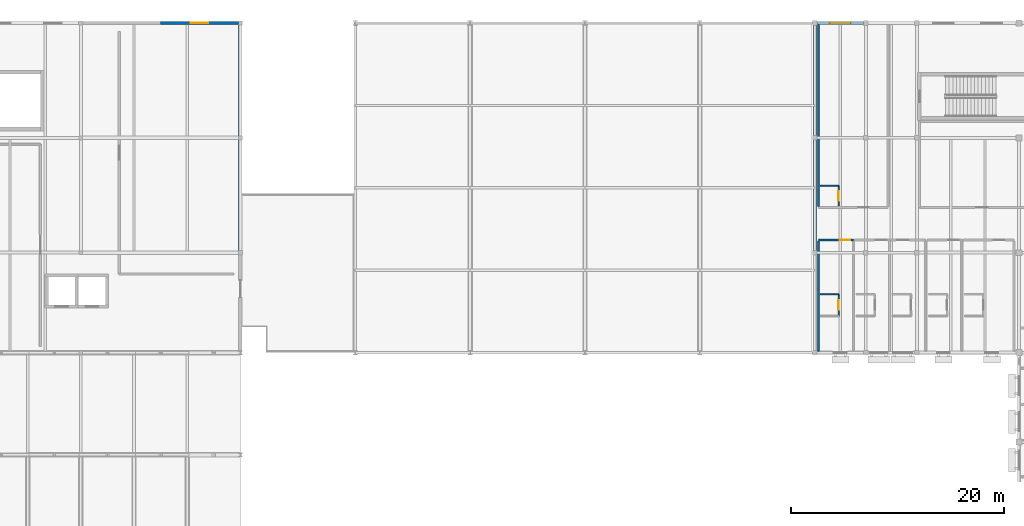
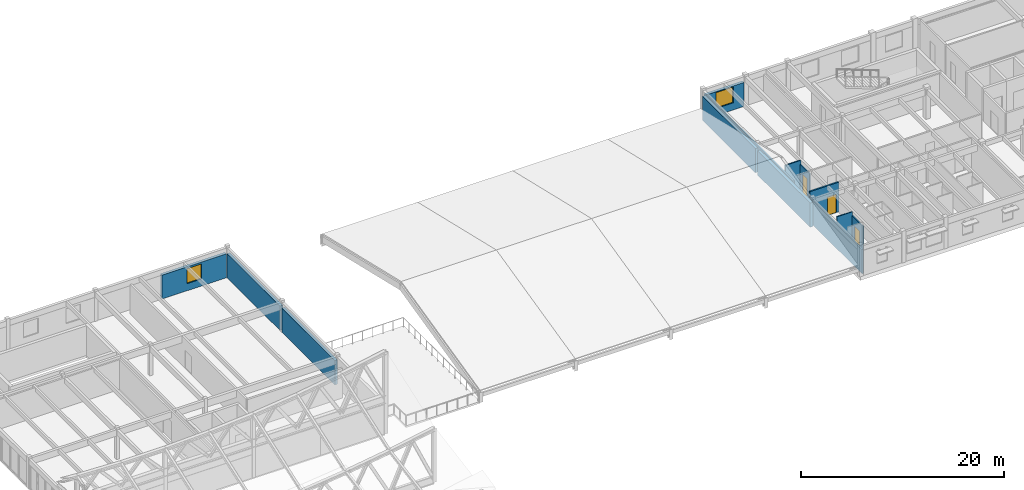
# One storey, part 24 of 40: 13 walls, 3 doors, 2 windows, 5 openings.
"""IFC4 building model written with IfcOpenShell, lengths in metres."""

from ifc_helpers import new_model, si_unit, direction, frame, frame_2d, origin, place, context, subcontext, project, spatial, rectangle, extrude, material, layer, layer_set, type_object, element, fill, save


model = new_model("IFC4")

# Units and contexts
model_context = context("Model", 3, precision=1e-05, world=origin(), true_north=direction((0.0, 1.0)))
body_context = subcontext(model_context, "Body", "Model", "MODEL_VIEW")
ifc_project = project(units=[si_unit("LENGTHUNIT", "METRE"), si_unit("AREAUNIT", "SQUARE_METRE"), si_unit("VOLUMEUNIT", "CUBIC_METRE"), si_unit("PLANEANGLEUNIT", "RADIAN"), si_unit("MASSUNIT", "GRAM", prefix="KILO")], contexts=[model_context])

# Site, building, storey
site_placement = place(None, origin())
site = spatial("IfcSite", under=ifc_project, at=site_placement, CompositionType="ELEMENT")
building_placement = place(site_placement, origin())
building = spatial("IfcBuilding", under=site, at=building_placement, Name="Veldera Park Congress Hotel", CompositionType="ELEMENT")
storey_placement = place(building_placement, frame((0.0, 0.0, 16.199951171875)))
storey = spatial("IfcBuildingStorey", under=building, at=storey_placement, Name="L03", CompositionType="ELEMENT", Elevation=16.199951171875)

# Walls
ifc_material_1 = material(Name="Cross-laminated timber CLT V2M1.1", Category="wood")
ifc_layer_1 = layer(ifc_material_1, 0.320068359375)
ifc_layer_set_1 = layer_set([ifc_layer_1], Name="Cross-laminated timber CLT V2M1.1")
wall_type_1 = type_object("IfcWallType", Name="EW-CLT320", PredefinedType="STANDARD", material=ifc_layer_set_1)
wall_1_placement = place(storey_placement, frame((-12.39990234375, 36.593017578125, 0.0), z_axis=(0.0, 0.0, 1.0), x_axis=(0.0, 1.0, 0.0)))
element("IfcWall", 1, at=wall_1_placement, inside=storey, type_object=wall_type_1, Name="L03 Exterior Wall EW3-L03-0106", PredefinedType="STANDARD", context=body_context, shape_type="SweptSolid", body=[
    extrude(rectangle(XDim=10.4140625, YDim=0.320068359375, at=frame_2d((5.20703125, 0.0))), origin(), (0.0, 0.0, 1.0), 2.9150390625),
])
wall_2_placement = place(storey_placement, frame((-12.39990234375, 47.39306640625, 0.0), z_axis=(0.0, 0.0, 1.0), x_axis=(0.0, 1.0, 0.0)))
element("IfcWall", 2, at=wall_2_placement, inside=storey, type_object=wall_type_1, Name="L03 Exterior Wall EW3-L03-0107", PredefinedType="STANDARD", context=body_context, shape_type="SweptSolid", body=[
    extrude(rectangle(XDim=10.413818359375, YDim=0.320068359375, at=frame_2d((5.20703125, 0.0))), origin(), (0.0, 0.0, 1.0), 2.9150390625),
])

# Wall, opening, window
wall_3_placement = place(storey_placement, frame((-12.593017578125, 58.0, 0.0), z_axis=(0.0, 0.0, 1.0), x_axis=(-1.0, 0.0, 0.0)))
wall_3 = element("IfcWall", 3, at=wall_3_placement, inside=storey, type_object=wall_type_1, Name="L03 Exterior Wall EW3-L03-0108", PredefinedType="STANDARD", context=body_context, shape_type="SweptSolid", body=[
    extrude(rectangle(XDim=7.30908203125, YDim=0.320068359375, at=frame_2d((3.654541015625, 0.0))), origin(), (0.0, 0.0, 1.0), 2.875),
])
opening_1_placement = place(wall_3_placement, frame((2.82958984375, 0.0, 0.85009765625)))
opening_1 = element("IfcOpeningElement", 4, at=opening_1_placement, cuts=wall_3, Name="Opening WIN-1650", PredefinedType="OPENING", context=body_context, shape_type="SweptSolid", body=[
    extrude(rectangle(XDim=1.64990234375, YDim=1.800048828125, at=frame_2d((0.824951171875, 0.89990234375))), frame((0.0, 0.172119140625, 0.0), z_axis=(0.0, -1.0, 0.0), x_axis=(1.0, 0.0, 0.0)), (0.0, 0.0, 1.0), 0.343994140625),
])
ifc_material_2 = material(Name="Low-E Triple Insulating Glass Unit (SHGC 0.22)", Category="glass")
window_type_1 = type_object("IfcWindowType", Name="WIN-1650", PartitioningType="SINGLE_PANEL", PredefinedType="WINDOW", material=ifc_material_2)
window_1_placement = place(opening_1_placement, origin())
window_1 = element("IfcWindow", 5, at=window_1_placement, inside=storey, type_object=window_type_1, Name="L03 Window WIN-1650 120", OverallHeight=1.800048828125, OverallWidth=1.64990234375, PartitioningType="SINGLE_PANEL", PredefinedType="WINDOW", context=body_context, shape_type="SweptSolid", body=[
    extrude(rectangle(XDim=1.64990234375, YDim=1.800048828125, at=frame_2d((0.824951171875, 0.89990234375))), frame((0.0, 0.030029296875, 0.0), z_axis=(0.0, -1.0, 0.0), x_axis=(1.0, 0.0, 0.0)), (0.0, 0.0, 1.0), 0.06005859375),
])
fill(opening_1, window_1)

wall_4_placement = place(storey_placement, frame((46.177001953125, 58.0, 0.0), z_axis=(0.0, 0.0, 1.0), x_axis=(-1.0, 0.0, 0.0)))
wall_4 = element("IfcWall", 6, at=wall_4_placement, inside=storey, type_object=wall_type_1, Name="L03 Exterior Wall EW3-L03-0226", PredefinedType="STANDARD", context=body_context, shape_type="SweptSolid", body=[
    extrude(rectangle(XDim=4.35400390625, YDim=0.320068359375, at=frame_2d((2.177001953125, 0.0))), origin(), (0.0, 0.0, 1.0), 2.875),
])
opening_2_placement = place(wall_4_placement, frame((1.201904296875, 0.0, 0.85009765625)))
opening_2 = element("IfcOpeningElement", 7, at=opening_2_placement, cuts=wall_4, Name="Opening WIN-1950", PredefinedType="OPENING", context=body_context, shape_type="SweptSolid", body=[
    extrude(rectangle(XDim=1.949951171875, YDim=1.89990234375, at=frame_2d((0.97509765625, 0.949951171875))), frame((0.0, 0.172119140625, 0.0), z_axis=(0.0, -1.0, 0.0), x_axis=(1.0, 0.0, 0.0)), (0.0, 0.0, 1.0), 0.343994140625),
])
window_type_2 = type_object("IfcWindowType", Name="WIN-1950", PartitioningType="DOUBLE_PANEL_VERTICAL", PredefinedType="WINDOW", material=ifc_material_2)
window_2_placement = place(opening_2_placement, origin())
window_2 = element("IfcWindow", 8, at=window_2_placement, inside=storey, type_object=window_type_2, Name="L03 Window WIN-1950 194", OverallHeight=1.89990234375, OverallWidth=1.949951171875, PartitioningType="DOUBLE_PANEL_VERTICAL", PredefinedType="WINDOW", context=body_context, shape_type="SweptSolid", body=[
    extrude(rectangle(XDim=1.949951171875, YDim=1.89990234375, at=frame_2d((0.97509765625, 0.949951171875))), frame((0.0, 0.030029296875, 0.0), z_axis=(0.0, -1.0, 0.0), x_axis=(1.0, 0.0, 0.0)), (0.0, 0.0, 1.0), 0.06005859375),
])
fill(opening_2, window_2)

# Walls
wall_5_placement = place(storey_placement, frame((41.60009765625, 57.777099609375, 0.0), z_axis=(0.0, 0.0, 1.0), x_axis=(0.0, -1.0, 0.0)))
element("IfcWall", 9, at=wall_5_placement, inside=storey, type_object=wall_type_1, Name="L03 Exterior Wall EW3-L03-0227", PredefinedType="STANDARD", context=body_context, shape_type="SweptSolid", body=[
    extrude(rectangle(XDim=10.369140625, YDim=0.320068359375, at=frame_2d((5.1845703125, 0.0))), origin(), (0.0, 0.0, 1.0), 2.9150390625),
])
wall_6_placement = place(storey_placement, frame((41.60009765625, 46.991943359375, 0.0), z_axis=(0.0, 0.0, 1.0), x_axis=(0.0, -1.0, 0.0)))
element("IfcWall", 10, at=wall_6_placement, inside=storey, type_object=wall_type_1, Name="L03 Exterior Wall EW3-L03-0228", PredefinedType="STANDARD", context=body_context, shape_type="SweptSolid", body=[
    extrude(rectangle(XDim=10.384033203125, YDim=0.320068359375, at=frame_2d((5.19189453125, 0.0))), origin(), (0.0, 0.0, 1.0), 2.9150390625),
])
ifc_material_3 = material(Name="Fire-Rated Gypsum Board on Cold-Formed Steel Studs", Category="steel")
ifc_layer_2 = layer(ifc_material_3, 0.1201171875)
ifc_layer_set_2 = layer_set([ifc_layer_2], Name="Fire-Rated Gypsum Board on Cold-Formed Steel Studs")
wall_type_2 = type_object("IfcWallType", Name="IW-BATH120", PredefinedType="PARTITIONING", material=ifc_layer_set_2)
wall_7_placement = place(storey_placement, frame((42.10009765625, 32.5, 0.0), z_axis=(0.0, 0.0, 1.0), x_axis=(1.0, 0.0, 0.0)))
element("IfcWall", 11, at=wall_7_placement, inside=storey, type_object=wall_type_2, Name="L03 Partition Wall IW3-L03-00763", PredefinedType="PARTITIONING", context=body_context, shape_type="SweptSolid", body=[
    extrude(rectangle(XDim=1.75, YDim=0.1201171875, at=frame_2d((0.875, 0.0))), origin(), (0.0, 0.0, 1.0), 3.56005859375),
])

# Wall, opening, door
wall_8_placement = place(storey_placement, frame((43.85009765625, 30.449951171875, 0.0), z_axis=(0.0, 0.0, 1.0), x_axis=(0.0, 1.0, 0.0)))
wall_8 = element("IfcWall", 12, at=wall_8_placement, inside=storey, type_object=wall_type_2, Name="L03 Partition Wall IW3-L03-00764", PredefinedType="PARTITIONING", context=body_context, shape_type="SweptSolid", body=[
    extrude(rectangle(XDim=2.050048828125, YDim=0.1201171875, at=frame_2d((1.02490234375, 0.0))), origin(), (0.0, 0.0, 1.0), 3.10498046875),
])
opening_3_placement = place(wall_8_placement, frame((0.574951171875, 0.0, 0.0)))
opening_3 = element("IfcOpeningElement", 13, at=opening_3_placement, cuts=wall_8, Name="Opening ID-BATH090", PredefinedType="OPENING", context=body_context, shape_type="SweptSolid", body=[
    extrude(rectangle(XDim=0.89990234375, YDim=2.14990234375, at=frame_2d((0.449951171875, 1.074951171875))), frame((0.0, 0.072021484375, 0.0), z_axis=(0.0, -1.0, 0.0), x_axis=(1.0, 0.0, 0.0)), (0.0, 0.0, 1.0), 0.14404296875),
])
ifc_material_4 = material(Name="Solid Core White Oak Architectural Door", Category="wood")
door_type_1 = type_object("IfcDoorType", Name="ID-BATH090", OperationType="NOTDEFINED", PredefinedType="DOOR", material=ifc_material_4)
door_1_placement = place(opening_3_placement, origin())
door_1 = element("IfcDoor", 14, at=door_1_placement, inside=storey, type_object=door_type_1, Name="L03 En-suite 087 Door ID3-L03-0313 (DR3-ID3-L03-0313)", OperationType="SINGLE_SWING_LEFT", OverallHeight=2.14990234375, OverallWidth=0.89990234375, PredefinedType="DOOR", context=body_context, shape_type="SweptSolid", body=[
    extrude(rectangle(XDim=0.89990234375, YDim=2.14990234375, at=frame_2d((0.449951171875, 1.074951171875))), frame((0.0, 0.02490234375, 0.0), z_axis=(0.0, -1.0, 0.0), x_axis=(1.0, 0.0, 0.0)), (0.0, 0.0, 1.0), 0.050048828125),
])
fill(opening_3, door_1)

wall_9_placement = place(storey_placement, frame((43.85009765625, 40.800048828125, 0.0), z_axis=(0.0, 0.0, 1.0), x_axis=(0.0, 1.0, 0.0)))
wall_9 = element("IfcWall", 15, at=wall_9_placement, inside=storey, type_object=wall_type_2, Name="L03 Partition Wall IW3-L03-00800", PredefinedType="PARTITIONING", context=body_context, shape_type="SweptSolid", body=[
    extrude(rectangle(XDim=1.89990234375, YDim=0.1201171875, at=frame_2d((0.949951171875, 0.0))), origin(), (0.0, 0.0, 1.0), 3.06005859375),
])
opening_4_placement = place(wall_9_placement, frame((0.5, 0.0, 0.0)))
opening_4 = element("IfcOpeningElement", 16, at=opening_4_placement, cuts=wall_9, Name="Opening ID-BATH090", PredefinedType="OPENING", context=body_context, shape_type="SweptSolid", body=[
    extrude(rectangle(XDim=0.89990234375, YDim=2.14990234375, at=frame_2d((0.449951171875, 1.074951171875))), frame((0.0, 0.072021484375, 0.0), z_axis=(0.0, -1.0, 0.0), x_axis=(1.0, 0.0, 0.0)), (0.0, 0.0, 1.0), 0.14404296875),
])
door_2_placement = place(opening_4_placement, origin())
door_2 = element("IfcDoor", 17, at=door_2_placement, inside=storey, type_object=door_type_1, Name="L03 En-suite 094 Door ID3-L03-0327 (DR3-ID3-L03-0327)", OperationType="SINGLE_SWING_LEFT", OverallHeight=2.14990234375, OverallWidth=0.89990234375, PredefinedType="DOOR", context=body_context, shape_type="SweptSolid", body=[
    extrude(rectangle(XDim=0.89990234375, YDim=2.14990234375, at=frame_2d((0.449951171875, 1.074951171875))), frame((0.0, 0.02490234375, 0.0), z_axis=(0.0, -1.0, 0.0), x_axis=(1.0, 0.0, 0.0)), (0.0, 0.0, 1.0), 0.050048828125),
])
fill(opening_4, door_2)

# Wall
wall_10_placement = place(storey_placement, frame((42.10009765625, 42.699951171875, 0.0), z_axis=(0.0, 0.0, 1.0), x_axis=(1.0, 0.0, 0.0)))
element("IfcWall", 18, at=wall_10_placement, inside=storey, type_object=wall_type_2, Name="L03 Partition Wall IW3-L03-00801", PredefinedType="PARTITIONING", context=body_context, shape_type="SweptSolid", body=[
    extrude(rectangle(XDim=1.75, YDim=0.1201171875, at=frame_2d((0.875, 0.0))), origin(), (0.0, 0.0, 1.0), 3.56005859375),
])

# Wall, opening, door
ifc_layer_3 = layer(ifc_material_3, 0.179931640625)
ifc_layer_set_3 = layer_set([ifc_layer_3], Name="Fire-Rated Gypsum Board on Cold-Formed Steel Studs")
wall_type_3 = type_object("IfcWallType", Name="IW-CORR180", PredefinedType="PARTITIONING", material=ifc_layer_set_3)
wall_11_placement = place(storey_placement, frame((45.22998046875, 37.60009765625, 0.0), z_axis=(0.0, 0.0, 1.0), x_axis=(-1.0, 0.0, 0.0)))
wall_11 = element("IfcWall", 19, at=wall_11_placement, inside=storey, type_object=wall_type_3, Name="L03 Corridor Wall IW3-L03-00760", PredefinedType="PARTITIONING", context=body_context, shape_type="SweptSolid", body=[
    extrude(rectangle(XDim=3.280029296875, YDim=0.179931640625, at=frame_2d((1.64013671875, 0.0))), origin(), (0.0, 0.0, 1.0), 3.56005859375),
])
opening_5_placement = place(wall_11_placement, frame((0.280029296875, 0.0, 0.0)))
opening_5 = element("IfcOpeningElement", 20, at=opening_5_placement, cuts=wall_11, Name="Opening ID-UNIT100", PredefinedType="OPENING", context=body_context, shape_type="SweptSolid", body=[
    extrude(rectangle(XDim=1.0, YDim=2.199951171875, at=frame_2d((0.5, 1.10009765625))), frame((0.0, 0.10205078125, 0.0), z_axis=(0.0, -1.0, 0.0), x_axis=(1.0, 0.0, 0.0)), (0.0, 0.0, 1.0), 0.203857421875),
])
door_type_2 = type_object("IfcDoorType", Name="ID-UNIT100", OperationType="NOTDEFINED", PredefinedType="DOOR", material=ifc_material_4)
door_3_placement = place(opening_5_placement, frame((1.0, 0.0, 0.0), z_axis=(0.0, 0.0, 1.0), x_axis=(-1.0, 0.0, 0.0)))
door_3 = element("IfcDoor", 21, at=door_3_placement, inside=storey, type_object=door_type_2, Name="L03 Guestroom 087 Entry Door (DR3-UD3-L03-087)", OperationType="SINGLE_SWING_RIGHT", OverallHeight=2.199951171875, OverallWidth=1.0, PredefinedType="DOOR", context=body_context, shape_type="SweptSolid", body=[
    extrude(rectangle(XDim=1.0, YDim=2.199951171875, at=frame_2d((0.5, 1.10009765625))), frame((0.0, 0.02490234375, 0.0), z_axis=(0.0, -1.0, 0.0), x_axis=(1.0, 0.0, 0.0)), (0.0, 0.0, 1.0), 0.050048828125),
])
fill(opening_5, door_3)

# Walls
ifc_layer_4 = layer(ifc_material_1, 0.159912109375)
ifc_layer_set_4 = layer_set([ifc_layer_4], Name="Cross-laminated timber CLT V2M1.1")
wall_type_4 = type_object("IfcWallType", Name="IW-UNIT160", PredefinedType="PARTITIONING", material=ifc_layer_set_4)
wall_12_placement = place(storey_placement, frame((41.949951171875, 27.159912109375, 0.0), z_axis=(0.0, 0.0, 1.0), x_axis=(0.0, 1.0, 0.0)))
element("IfcWall", 22, at=wall_12_placement, inside=storey, type_object=wall_type_4, Name="L03 Partition Wall IW3-L03-00761", PredefinedType="PARTITIONING", context=body_context, shape_type="SweptSolid", body=[
    extrude(rectangle(XDim=10.340087890625, YDim=0.159912109375, at=frame_2d((5.169921875, 0.0))), origin(), (0.0, 0.0, 1.0), 2.9150390625),
])
wall_13_placement = place(storey_placement, frame((41.949951171875, 40.75, 0.0), z_axis=(0.0, 0.0, 1.0), x_axis=(0.0, 1.0, 0.0)))
element("IfcWall", 23, at=wall_13_placement, inside=storey, type_object=wall_type_4, Name="L03 Partition Wall IW3-L03-00798", PredefinedType="PARTITIONING", context=body_context, shape_type="SweptSolid", body=[
    extrude(rectangle(XDim=17.090087890625, YDim=0.159912109375, at=frame_2d((8.544921875, 0.0))), origin(), (0.0, 0.0, 1.0), 2.9150390625),
])

save(model, "model.ifc")
